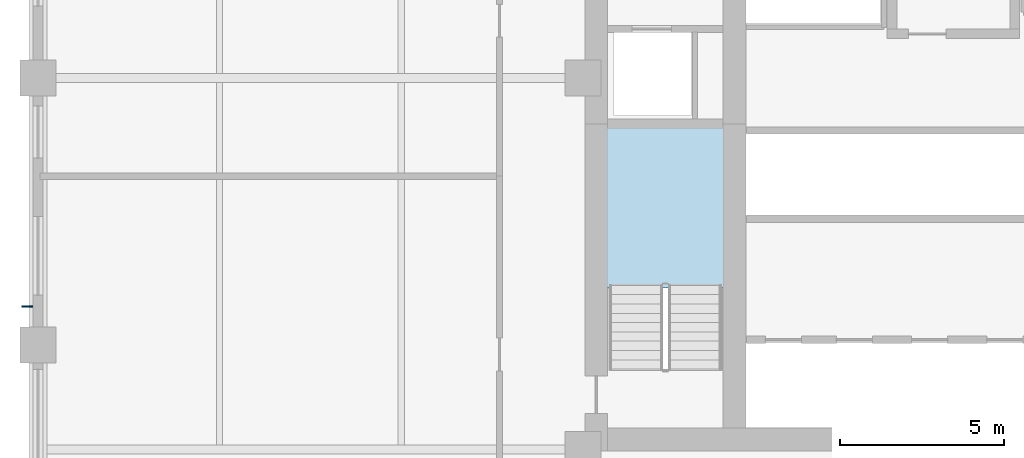
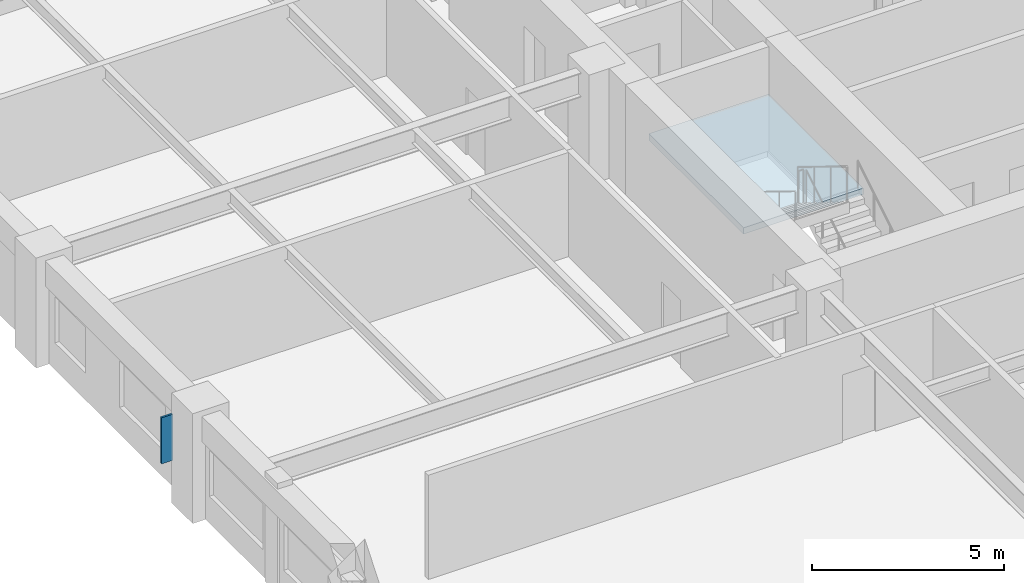
# One storey, part 2 of 8: 1 plate, 1 slab, 1 element without a shape of its own.
"""IFC4 building model written with IfcOpenShell, lengths in metres."""

from ifc_helpers import new_model, si_unit, direction, frame, origin, origin_2d, place, context, subcontext, project, spatial, polyline, rectangle, outline, extrude, material, layer, layer_set, type_object, element, aggregate, save


model = new_model("IFC4")

# Units and contexts
model_context = context("Model", 3, precision=1e-05, world=origin(), true_north=direction((0.0, 1.0)))
body_context = subcontext(model_context, "Body", "Model", "MODEL_VIEW")
ifc_project = project(units=[si_unit("LENGTHUNIT", "METRE"), si_unit("AREAUNIT", "SQUARE_METRE"), si_unit("VOLUMEUNIT", "CUBIC_METRE"), si_unit("PLANEANGLEUNIT", "RADIAN"), si_unit("MASSUNIT", "GRAM", prefix="KILO")], contexts=[model_context])

# Site, building, storey
site_placement = place(None, origin())
site = spatial("IfcSite", under=ifc_project, at=site_placement, CompositionType="ELEMENT")
building_placement = place(site_placement, origin())
building = spatial("IfcBuilding", under=site, at=building_placement, Name="Nhamokura Convention Tower", CompositionType="ELEMENT")
storey_placement = place(building_placement, frame((0.0, 0.0, 56.35009765625)))
storey = spatial("IfcBuildingStorey", under=building, at=storey_placement, Name="L12", CompositionType="ELEMENT", Elevation=56.35009765625)

# Plate
ifc_material_1 = material(Name="Anodised bronze aluminium AA6063-T6", Category="aluminium")
plate_type = type_object("IfcPlateType", Name="BronzeSolarFin_1", PredefinedType="USERDEFINED", material=ifc_material_1)
plate_placement = place(storey_placement, frame((3.669921875, 25.0166015625, 0.85009765625), z_axis=(0.0, 0.0, 1.0), x_axis=(1.0, 0.0, 0.0)))
element("IfcPlate", 1, at=plate_placement, inside=storey, type_object=plate_type, Name="L12 Bronze Solar Shading Fin WEST 2", ObjectType="SOLAR_FIN", PredefinedType="USERDEFINED", context=body_context, shape_type="SweptSolid", body=[
    extrude(rectangle(XDim=0.340087890625, YDim=0.06005859375, at=origin_2d()), origin(), (0.0, 0.0, 1.0), 1.469970703125),
])

# Stair, slab
ifc_material_2 = material(Name="Concrete C40/50", Category="concrete")
stair_type = type_object("IfcStairType", Name="TowerCoreStair_1650", PredefinedType="HALF_TURN_STAIR", material=ifc_material_2)
stair_placement = place(storey_placement, origin())
stair = element("IfcStair", 2, at=stair_placement, inside=storey, type_object=stair_type, Name="L12 West Core Smokeproof Stair ST-01", PredefinedType="HALF_TURN_STAIR")
ifc_material_3 = material(Name="Concrete C40/50", Category="concrete")
ifc_layer = layer(ifc_material_3, 0.199951171875)
ifc_layer_set = layer_set([ifc_layer], Name="StairLandingSlab_200")
slab_type = type_object("IfcSlabType", Name="StairLandingSlab_200", PredefinedType="LANDING", material=ifc_layer_set)
slab_placement = place(storey_placement, frame((0.0, 0.0, 1.5498046875)))
slab = element("IfcSlab", 3, at=slab_placement, type_object=slab_type, Name="ST-01 landing 1", PredefinedType="LANDING", context=body_context, shape_type="SweptSolid", body=[
    extrude(outline(polyline([(24.97998046875, 25.5849609375), (24.97998046875, 30.530029296875), (21.3701171875, 30.530029296875), (21.3701171875, 25.5849609375), (24.97998046875, 25.5849609375)])), origin(), (0.0, 0.0, 1.0), 0.2001953125),
])
aggregate(stair, [slab])

save(model, "model.ifc")
